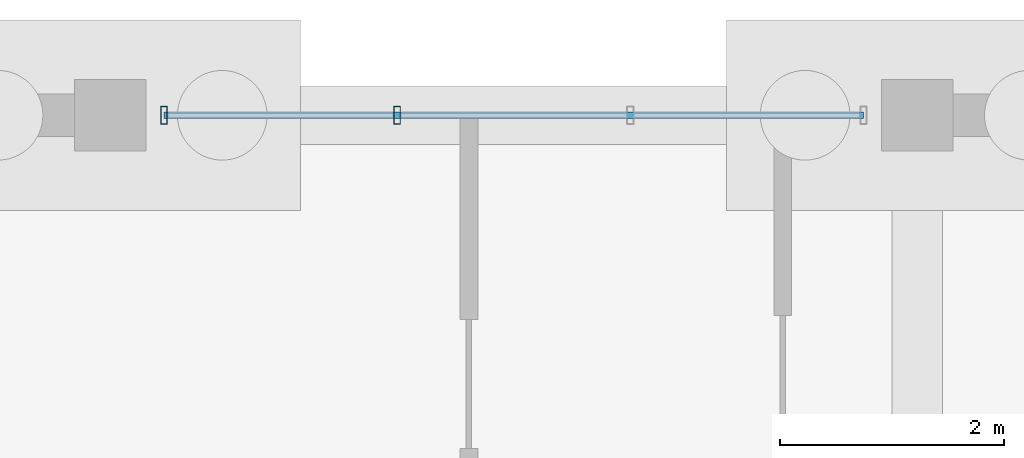
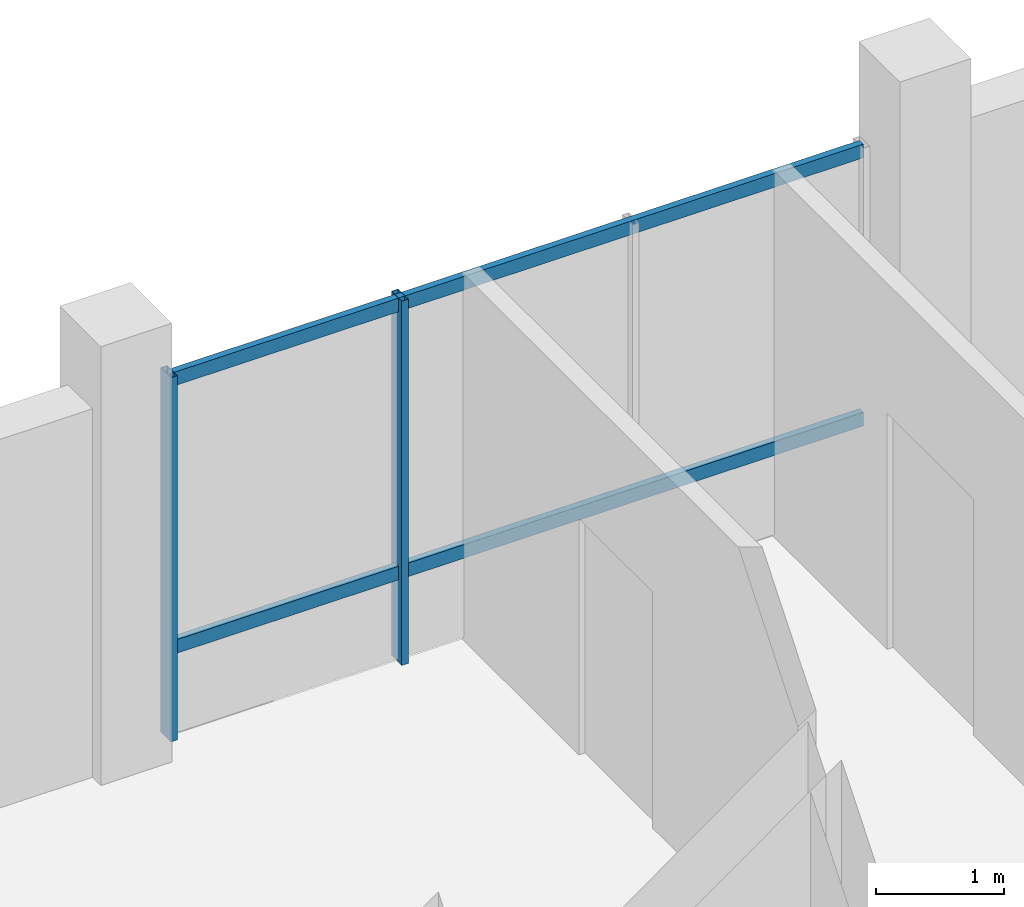
# One storey, part 62 of 98: 4 members, 1 element without a shape of its own.
"""IFC4 building model written with IfcOpenShell, lengths in metres."""

from ifc_helpers import new_model, si_unit, direction, frame, origin, origin_2d, place, context, subcontext, project, spatial, hollow_rectangle, extrude, material, material_profile, profile_set, type_object, element, aggregate, save


model = new_model("IFC4")

# Units and contexts
model_context = context("Model", 3, precision=1e-05, world=origin(), true_north=direction((0.0, 1.0)))
body_context = subcontext(model_context, "Body", "Model", "MODEL_VIEW")
ifc_project = project(units=[si_unit("LENGTHUNIT", "METRE"), si_unit("AREAUNIT", "SQUARE_METRE"), si_unit("VOLUMEUNIT", "CUBIC_METRE"), si_unit("PLANEANGLEUNIT", "RADIAN"), si_unit("MASSUNIT", "GRAM", prefix="KILO")], contexts=[model_context])

# Site, building, storey
site_placement = place(None, origin())
site = spatial("IfcSite", under=ifc_project, at=site_placement, CompositionType="ELEMENT")
building_placement = place(site_placement, origin())
building = spatial("IfcBuilding", under=site, at=building_placement, Name="Zornivar Specialist Clinic", CompositionType="ELEMENT")
storey_placement = place(building_placement, origin())
storey = spatial("IfcBuildingStorey", under=building, at=storey_placement, Name="L00", CompositionType="ELEMENT", Elevation=0.0)

# Curtain wall, members
ifc_material_1 = material(Name="Aluminium and Low-E Glass Curtain Wall", Category="aluminium")
curtain_wall_type = type_object("IfcCurtainWallType", Name="CW-LAB-NORTH", PredefinedType="NOTDEFINED", material=ifc_material_1)
curtain_wall_placement = place(storey_placement, origin())
curtain_wall = element("IfcCurtainWall", 1, at=curtain_wall_placement, inside=storey, type_object=curtain_wall_type, Name="cw:V6:L00:12", PredefinedType="NOTDEFINED")
ifc_material_2 = material(Name="Aluminium AW-6060", Category="aluminium")
ifc_material_profile_1 = material_profile(ifc_material_2, hollow_rectangle(XDim=0.06005859375, YDim=0.159912109375, WallThickness=0.00390625, at=origin_2d()), Name="ALU 60x160x4")
ifc_profile_set_1 = profile_set([ifc_material_profile_1], Name="Aluminium AW-6060")
member_type_1 = type_object("IfcMemberType", Name="CWM-MUL-160", PredefinedType="MULLION", material=ifc_profile_set_1)
member_1_placement = place(storey_placement, frame((153.760009765625, 112.800048828125, 0.0), z_axis=(0.0, 0.0, 1.0), x_axis=(1.0, 0.0, 0.0)))
member_1 = element("IfcMember", 2, at=member_1_placement, type_object=member_type_1, Name="cw:V6:L00:12:mul:2", PredefinedType="MULLION", context=body_context, shape_type="SweptSolid", body=[
    extrude(hollow_rectangle(XDim=0.06005859375, YDim=0.159912109375, WallThickness=0.00390625, at=origin_2d()), origin(), (0.0, 0.0, 1.0), 3.469970703125),
])
member_2_placement = place(storey_placement, frame((151.679931640625, 112.800048828125, 0.0), z_axis=(0.0, 0.0, 1.0), x_axis=(1.0, 0.0, 0.0)))
member_2 = element("IfcMember", 3, at=member_2_placement, type_object=member_type_1, Name="cw:V6:L00:12:mul:3", PredefinedType="MULLION", context=body_context, shape_type="SweptSolid", body=[
    extrude(hollow_rectangle(XDim=0.06005859375, YDim=0.159912109375, WallThickness=0.00390625, at=origin_2d()), origin(), (0.0, 0.0, 1.0), 3.469970703125),
])
ifc_material_3 = material(Name="Aluminium AW-6060", Category="aluminium")
ifc_material_profile_2 = material_profile(ifc_material_3, hollow_rectangle(XDim=0.06005859375, YDim=0.1298828125, WallThickness=0.00390625, at=origin_2d()), Name="ALU 60x130x4")
ifc_profile_set_2 = profile_set([ifc_material_profile_2], Name="Aluminium AW-6060")
member_type_2 = type_object("IfcMemberType", Name="CWM-TRN-130", PredefinedType="USERDEFINED", material=ifc_profile_set_2)
member_3_placement = place(storey_placement, frame((157.919921875, 112.800048828125, 0.85009765625), z_axis=(-1.0, 0.0, 0.0), x_axis=(0.0, -1.0, 0.0)))
member_3 = element("IfcMember", 4, at=member_3_placement, type_object=member_type_2, Name="cw:V6:L00:12:trn:0", ObjectType="TRANSOM", PredefinedType="USERDEFINED", context=body_context, shape_type="SweptSolid", body=[
    extrude(hollow_rectangle(XDim=0.06005859375, YDim=0.1298828125, WallThickness=0.00390625, at=origin_2d()), origin(), (0.0, 0.0, 1.0), 6.239990234375),
])
member_4_placement = place(storey_placement, frame((157.919921875, 112.800048828125, 3.405029296875), z_axis=(-1.0, 0.0, 0.0), x_axis=(0.0, -1.0, 0.0)))
member_4 = element("IfcMember", 5, at=member_4_placement, type_object=member_type_2, Name="cw:V6:L00:12:trn:1", ObjectType="TRANSOM", PredefinedType="USERDEFINED", context=body_context, shape_type="SweptSolid", body=[
    extrude(hollow_rectangle(XDim=0.06005859375, YDim=0.1298828125, WallThickness=0.00390625, at=origin_2d()), origin(), (0.0, 0.0, 1.0), 6.239990234375),
])
aggregate(curtain_wall, [member_1, member_2, member_3, member_4])

save(model, "model.ifc")
